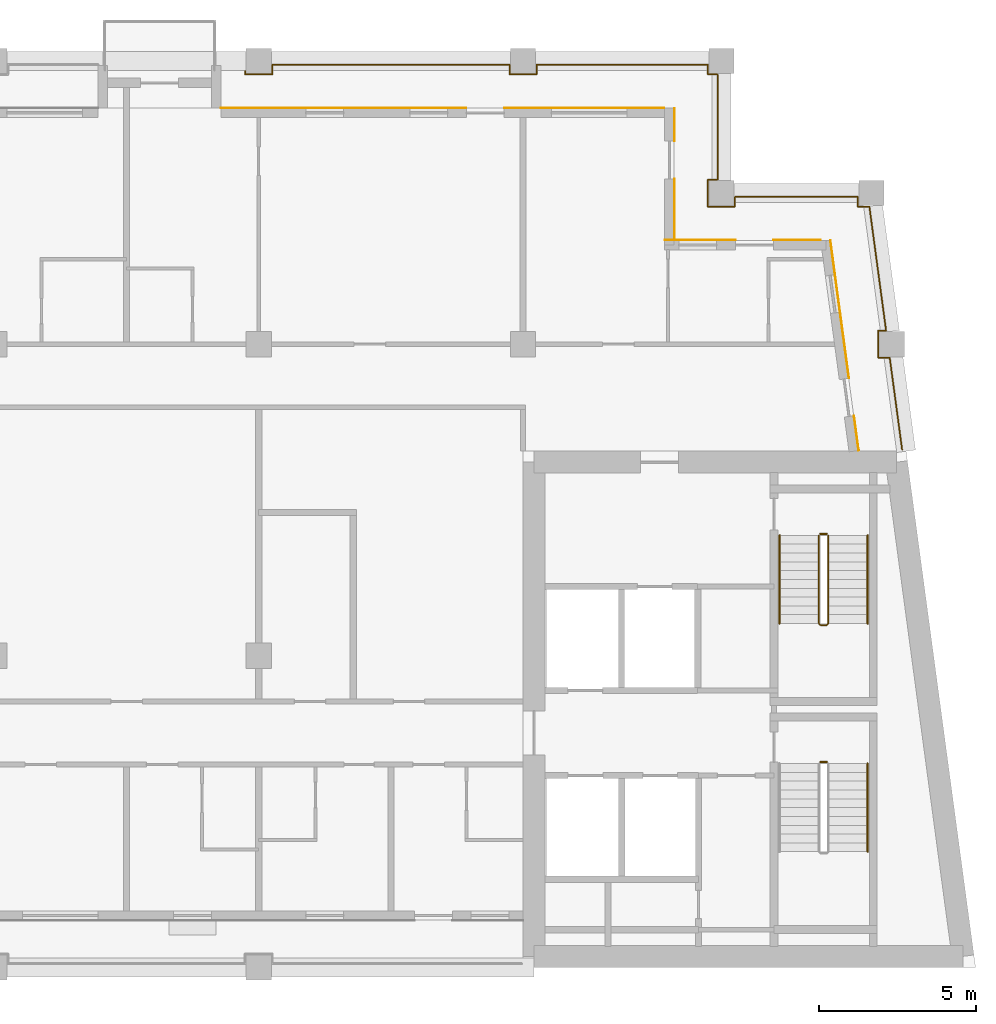
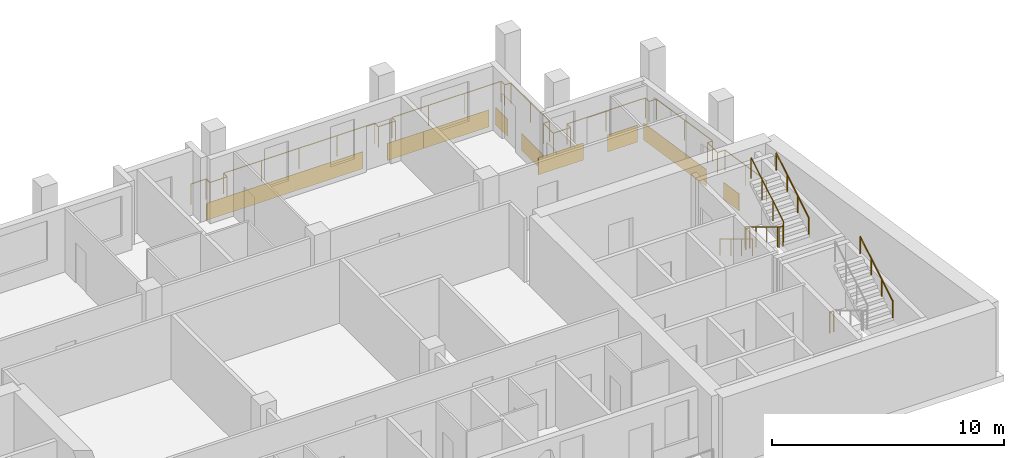
# One storey, part 9 of 10: 9 coverings, 7 railings.
"""IFC4 building model written with IfcOpenShell, lengths in metres."""

from ifc_helpers import new_model, si_unit, direction, frame, origin, origin_2d, place, context, subcontext, project, spatial, rectangle, circle, extrude, material, layer, layer_set, type_object, element, save


model = new_model("IFC4")

# Units and contexts
model_context = context("Model", 3, precision=1e-05, world=origin(), true_north=direction((0.0, 1.0)))
body_context = subcontext(model_context, "Body", "Model", "MODEL_VIEW")
ifc_project = project(units=[si_unit("LENGTHUNIT", "METRE"), si_unit("AREAUNIT", "SQUARE_METRE"), si_unit("VOLUMEUNIT", "CUBIC_METRE"), si_unit("PLANEANGLEUNIT", "RADIAN"), si_unit("MASSUNIT", "GRAM", prefix="KILO")], contexts=[model_context])

# Site, building, storey
site_placement = place(None, origin())
site = spatial("IfcSite", under=ifc_project, at=site_placement, CompositionType="ELEMENT")
building_placement = place(site_placement, origin())
building = spatial("IfcBuilding", under=site, at=building_placement, Name="Candeia Pilgrim Tower and Theatre", CompositionType="ELEMENT")
storey_placement = place(building_placement, frame((0.0, 0.0, 284.89990234375)))
storey = spatial("IfcBuildingStorey", under=building, at=storey_placement, Name="L69", CompositionType="ELEMENT", Elevation=284.89990234375)

# Railing
ifc_material_1 = material(Name="Stainless steel balustrade", Category="steel")
railing_type_1 = type_object("IfcRailingType", Name="G1 loggia guard 1100", PredefinedType="GUARDRAIL", material=ifc_material_1)
railing_1_placement = place(storey_placement, frame((116.39990234375, 144.679931640625, 0.0)))
element("IfcRailing", 1, at=railing_1_placement, inside=storey, type_object=railing_type_1, Name="Guard L69.2", PredefinedType="GUARDRAIL", context=body_context, shape_type="SweptSolid", body=[
    extrude(circle(Radius=0.02392578125, at=origin_2d()), frame((0.0, 0.0, 1.076171875), z_axis=(1.0, 0.0, 0.0), x_axis=(0.0, 1.0, 0.0)), (0.0, 0.0, 1.0), 0.77001953125),
    extrude(circle(Radius=0.02392578125, at=origin_2d()), frame((0.77001953125, 0.0, 1.076171875), z_axis=(0.0, -1.0, 0.0), x_axis=(1.0, 0.0, 0.0)), (0.0, 0.0, 1.0), 0.309814453125),
    extrude(circle(Radius=0.02392578125, at=origin_2d()), frame((0.77001953125, -0.309814453125, 1.076171875), z_axis=(1.0, 0.0, 0.0), x_axis=(0.0, 1.0, 0.0)), (0.0, 0.0, 1.0), 0.860107421875),
    extrude(circle(Radius=0.02392578125, at=origin_2d()), frame((1.630126953125, -0.309814453125, 1.076171875), z_axis=(0.0, 1.0, 0.0), x_axis=(-1.0, 0.0, 0.0)), (0.0, 0.0, 1.0), 0.309814453125),
    extrude(circle(Radius=0.02392578125, at=origin_2d()), frame((1.630126953125, 0.0, 1.076171875), z_axis=(1.0, 0.0, 0.0), x_axis=(0.0, 1.0, 0.0)), (0.0, 0.0, 1.0), 7.5400390625),
    extrude(circle(Radius=0.02392578125, at=origin_2d()), frame((9.170166015625, 0.0, 1.076171875), z_axis=(0.0, -1.0, 0.0), x_axis=(1.0, 0.0, 0.0)), (0.0, 0.0, 1.0), 0.309814453125),
    extrude(circle(Radius=0.02392578125, at=origin_2d()), frame((9.170166015625, -0.309814453125, 1.076171875), z_axis=(1.0, 0.0, 0.0), x_axis=(0.0, 1.0, 0.0)), (0.0, 0.0, 1.0), 0.85986328125),
    extrude(circle(Radius=0.02392578125, at=origin_2d()), frame((10.030029296875, -0.309814453125, 1.076171875), z_axis=(0.0, 1.0, 0.0), x_axis=(-1.0, 0.0, 0.0)), (0.0, 0.0, 1.0), 0.309814453125),
    extrude(circle(Radius=0.02392578125, at=origin_2d()), frame((10.030029296875, 0.0, 1.076171875), z_axis=(1.0, 0.0, 0.0), x_axis=(0.0, 1.0, 0.0)), (0.0, 0.0, 1.0), 5.440185546875),
    extrude(circle(Radius=0.02392578125, at=origin_2d()), frame((15.47021484375, 0.0, 1.076171875), z_axis=(0.0, -1.0, 0.0), x_axis=(1.0, 0.0, 0.0)), (0.0, 0.0, 1.0), 0.309814453125),
    extrude(circle(Radius=0.02392578125, at=origin_2d()), frame((15.47021484375, -0.309814453125, 1.076171875), z_axis=(1.0, 0.0, 0.0), x_axis=(0.0, 1.0, 0.0)), (0.0, 0.0, 1.0), 0.309814453125),
    extrude(circle(Radius=0.02392578125, at=origin_2d()), frame((15.780029296875, -0.309814453125, 1.076171875), z_axis=(0.0, -1.0, 0.0), x_axis=(1.0, 0.0, 0.0)), (0.0, 0.0, 1.0), 3.340087890625),
    extrude(circle(Radius=0.02392578125, at=origin_2d()), frame((15.780029296875, -3.64990234375, 1.076171875), z_axis=(-1.0, 0.0, 0.0), x_axis=(0.0, -1.0, 0.0)), (0.0, 0.0, 1.0), 0.309814453125),
    extrude(circle(Radius=0.02392578125, at=origin_2d()), frame((15.47021484375, -3.64990234375, 1.076171875), z_axis=(0.0, -1.0, 0.0), x_axis=(1.0, 0.0, 0.0)), (0.0, 0.0, 1.0), 0.860107421875),
    extrude(circle(Radius=0.02392578125, at=origin_2d()), frame((15.47021484375, -4.510009765625, 1.076171875), z_axis=(1.0, 0.0, 0.0), x_axis=(0.0, 1.0, 0.0)), (0.0, 0.0, 1.0), 0.85986328125),
    extrude(circle(Radius=0.02392578125, at=origin_2d()), frame((16.330078125, -4.510009765625, 1.076171875), z_axis=(0.0, 1.0, 0.0), x_axis=(-1.0, 0.0, 0.0)), (0.0, 0.0, 1.0), 0.31005859375),
    extrude(circle(Radius=0.02392578125, at=origin_2d()), frame((16.330078125, -4.199951171875, 1.076171875), z_axis=(1.0, 0.0, 0.0), x_axis=(0.0, 1.0, 0.0)), (0.0, 0.0, 1.0), 3.905517578125),
    extrude(circle(Radius=0.02392578125, at=origin_2d()), frame((20.235595703125, -4.199951171875, 1.076171875), z_axis=(0.0, -1.0, 0.0), x_axis=(1.0, 0.0, 0.0)), (0.0, 0.0, 1.0), 0.31005859375),
    extrude(circle(Radius=0.02392578125, at=origin_2d()), frame((20.235595703125, -4.510009765625, 1.076171875), z_axis=(1.0, 0.0, 0.0), x_axis=(0.0, 1.0, 0.0)), (0.0, 0.0, 1.0), 0.36669921875),
    extrude(circle(Radius=0.02392578125, at=origin_2d()), frame((20.602294921875, -4.510009765625, 1.076171875), z_axis=(0.133386492616, -0.991064096609, 0.0), x_axis=(0.991064096609, 0.133386492616, 0.0)), (0.0, 0.0, 1.0), 3.9755859375),
    extrude(circle(Radius=0.02392578125, at=origin_2d()), frame((21.132568359375, -8.449951171875, 1.076171875), z_axis=(-1.0, 0.0, 0.0), x_axis=(0.0, -1.0, 0.0)), (0.0, 0.0, 1.0), 0.2509765625),
    extrude(circle(Radius=0.02392578125, at=origin_2d()), frame((20.881591796875, -8.449951171875, 1.076171875), z_axis=(0.0, -1.0, 0.0), x_axis=(1.0, 0.0, 0.0)), (0.0, 0.0, 1.0), 0.85986328125),
    extrude(circle(Radius=0.02392578125, at=origin_2d()), frame((20.881591796875, -9.309814453125, 1.076171875), z_axis=(1.0, 0.0, 0.0), x_axis=(0.0, 1.0, 0.0)), (0.0, 0.0, 1.0), 0.366943359375),
    extrude(circle(Radius=0.02392578125, at=origin_2d()), frame((21.24853515625, -9.309814453125, 1.076171875), z_axis=(0.133401056725, -0.991062136329, 0.0), x_axis=(0.991062136329, 0.133401056725, 0.0)), (0.0, 0.0, 1.0), 2.946533203125),
    extrude(circle(Radius=0.02099609375, at=origin_2d()), origin(), (0.0, 0.0, 1.0), 1.052001953125),
    extrude(circle(Radius=0.02099609375, at=origin_2d()), frame((0.77001953125, 0.0, 0.0)), (0.0, 0.0, 1.0), 1.052001953125),
    extrude(circle(Radius=0.02099609375, at=origin_2d()), frame((0.77001953125, -0.309814453125, 0.0)), (0.0, 0.0, 1.0), 1.052001953125),
    extrude(circle(Radius=0.02099609375, at=origin_2d()), frame((1.630126953125, -0.309814453125, 0.0)), (0.0, 0.0, 1.0), 1.052001953125),
    extrude(circle(Radius=0.02099609375, at=origin_2d()), frame((1.630126953125, 0.0, 0.0)), (0.0, 0.0, 1.0), 1.052001953125),
    extrude(circle(Radius=0.02099609375, at=origin_2d()), frame((3.51513671875, 0.0, 0.0)), (0.0, 0.0, 1.0), 1.052001953125),
    extrude(circle(Radius=0.02099609375, at=origin_2d()), frame((5.400146484375, 0.0, 0.0)), (0.0, 0.0, 1.0), 1.052001953125),
    extrude(circle(Radius=0.02099609375, at=origin_2d()), frame((7.28515625, 0.0, 0.0)), (0.0, 0.0, 1.0), 1.052001953125),
    extrude(circle(Radius=0.02099609375, at=origin_2d()), frame((9.170166015625, 0.0, 0.0)), (0.0, 0.0, 1.0), 1.052001953125),
    extrude(circle(Radius=0.02099609375, at=origin_2d()), frame((9.170166015625, -0.309814453125, 0.0)), (0.0, 0.0, 1.0), 1.052001953125),
    extrude(circle(Radius=0.02099609375, at=origin_2d()), frame((10.030029296875, -0.309814453125, 0.0)), (0.0, 0.0, 1.0), 1.052001953125),
    extrude(circle(Radius=0.02099609375, at=origin_2d()), frame((10.030029296875, 0.0, 0.0)), (0.0, 0.0, 1.0), 1.052001953125),
    extrude(circle(Radius=0.02099609375, at=origin_2d()), frame((11.843505859375, 0.0, 0.0)), (0.0, 0.0, 1.0), 1.052001953125),
    extrude(circle(Radius=0.02099609375, at=origin_2d()), frame((13.65673828125, 0.0, 0.0)), (0.0, 0.0, 1.0), 1.052001953125),
    extrude(circle(Radius=0.02099609375, at=origin_2d()), frame((15.47021484375, 0.0, 0.0)), (0.0, 0.0, 1.0), 1.052001953125),
    extrude(circle(Radius=0.02099609375, at=origin_2d()), frame((15.47021484375, -0.309814453125, 0.0)), (0.0, 0.0, 1.0), 1.052001953125),
    extrude(circle(Radius=0.02099609375, at=origin_2d()), frame((15.780029296875, -0.309814453125, 0.0)), (0.0, 0.0, 1.0), 1.052001953125),
    extrude(circle(Radius=0.02099609375, at=origin_2d()), frame((15.780029296875, -1.97998046875, 0.0)), (0.0, 0.0, 1.0), 1.052001953125),
    extrude(circle(Radius=0.02099609375, at=origin_2d()), frame((15.780029296875, -3.64990234375, 0.0)), (0.0, 0.0, 1.0), 1.052001953125),
    extrude(circle(Radius=0.02099609375, at=origin_2d()), frame((15.47021484375, -3.64990234375, 0.0)), (0.0, 0.0, 1.0), 1.052001953125),
    extrude(circle(Radius=0.02099609375, at=origin_2d()), frame((15.47021484375, -4.510009765625, 0.0)), (0.0, 0.0, 1.0), 1.052001953125),
    extrude(circle(Radius=0.02099609375, at=origin_2d()), frame((16.330078125, -4.510009765625, 0.0)), (0.0, 0.0, 1.0), 1.052001953125),
    extrude(circle(Radius=0.02099609375, at=origin_2d()), frame((16.330078125, -4.199951171875, 0.0)), (0.0, 0.0, 1.0), 1.052001953125),
    extrude(circle(Radius=0.02099609375, at=origin_2d()), frame((18.28271484375, -4.199951171875, 0.0)), (0.0, 0.0, 1.0), 1.052001953125),
    extrude(circle(Radius=0.02099609375, at=origin_2d()), frame((20.235595703125, -4.199951171875, 0.0)), (0.0, 0.0, 1.0), 1.052001953125),
    extrude(circle(Radius=0.02099609375, at=origin_2d()), frame((20.235595703125, -4.510009765625, 0.0)), (0.0, 0.0, 1.0), 1.052001953125),
    extrude(circle(Radius=0.02099609375, at=origin_2d()), frame((20.602294921875, -4.510009765625, 0.0)), (0.0, 0.0, 1.0), 1.052001953125),
    extrude(circle(Radius=0.02099609375, at=origin_2d()), frame((20.867431640625, -6.47998046875, 0.0)), (0.0, 0.0, 1.0), 1.052001953125),
    extrude(circle(Radius=0.02099609375, at=origin_2d()), frame((21.132568359375, -8.449951171875, 0.0)), (0.0, 0.0, 1.0), 1.052001953125),
    extrude(circle(Radius=0.02099609375, at=origin_2d()), frame((20.881591796875, -8.449951171875, 0.0)), (0.0, 0.0, 1.0), 1.052001953125),
    extrude(circle(Radius=0.02099609375, at=origin_2d()), frame((20.881591796875, -9.309814453125, 0.0)), (0.0, 0.0, 1.0), 1.052001953125),
    extrude(circle(Radius=0.02099609375, at=origin_2d()), frame((21.24853515625, -9.309814453125, 0.0)), (0.0, 0.0, 1.0), 1.052001953125),
    extrude(circle(Radius=0.02099609375, at=origin_2d()), frame((21.445068359375, -10.77001953125, 0.0)), (0.0, 0.0, 1.0), 1.052001953125),
    extrude(circle(Radius=0.02099609375, at=origin_2d()), frame((21.6416015625, -12.22998046875, 0.0)), (0.0, 0.0, 1.0), 1.052001953125),
])

# Coverings
ifc_material_2 = material(Name="Glazed ceramic tile bottle green")
ifc_layer_1 = layer(ifc_material_2, 0.02001953125)
ifc_layer_set_1 = layer_set([ifc_layer_1], Name="Glazed ceramic tile bottle green")
covering_type_1 = type_object("IfcCoveringType", Name="Glazed ceramic tile bottle green", PredefinedType="CLADDING", material=ifc_layer_set_1)
covering_1_placement = place(storey_placement, frame((134.701416015625, 139.110107421875, 0.000244140625), z_axis=(0.0, 0.0, 1.0), x_axis=(-1.0, 0.0, 0.0)))
element("IfcCovering", 2, at=covering_1_placement, inside=storey, type_object=covering_type_1, Name="Tile cladding bottle green L69", PredefinedType="CLADDING", context=body_context, shape_type="SweptSolid", body=[
    extrude(rectangle(XDim=1.502685546875, YDim=0.02001953125, at=origin_2d()), origin(), (0.0, 0.0, 1.0), 0.89990234375),
])
covering_2_placement = place(storey_placement, frame((131.625, 139.110107421875, 0.000244140625), z_axis=(0.0, 0.0, 1.0), x_axis=(-1.0, 0.0, 0.0)))
element("IfcCovering", 3, at=covering_2_placement, inside=storey, type_object=covering_type_1, Name="Tile cladding bottle green L69", PredefinedType="CLADDING", context=body_context, shape_type="SweptSolid", body=[
    extrude(rectangle(XDim=2.25, YDim=0.02001953125, at=origin_2d()), origin(), (0.0, 0.0, 1.0), 0.89990234375),
])
covering_3_placement = place(storey_placement, frame((130.81005859375, 142.77490234375, 0.000244140625), z_axis=(0.0, 0.0, 1.0), x_axis=(0.0, 1.0, 0.0)))
element("IfcCovering", 4, at=covering_3_placement, inside=storey, type_object=covering_type_1, Name="Tile cladding bottle green L69", PredefinedType="CLADDING", context=body_context, shape_type="SweptSolid", body=[
    extrude(rectangle(XDim=1.050048828125, YDim=0.02001953125, at=origin_2d()), origin(), (0.0, 0.0, 1.0), 0.89990234375),
])
covering_4_placement = place(storey_placement, frame((128.840087890625, 143.31005859375, 0.000244140625), z_axis=(0.0, 0.0, 1.0), x_axis=(-1.0, 0.0, 0.0)))
element("IfcCovering", 5, at=covering_4_placement, inside=storey, type_object=covering_type_1, Name="Tile cladding bottle green L69", PredefinedType="CLADDING", context=body_context, shape_type="SweptSolid", body=[
    extrude(rectangle(XDim=3.280029296875, YDim=0.02001953125, at=origin_2d()), origin(), (0.0, 0.0, 1.0), 0.89990234375),
])
ifc_material_3 = material(Name="Glazed ceramic tile rust")
ifc_layer_2 = layer(ifc_material_3, 0.02001953125)
ifc_layer_set_2 = layer_set([ifc_layer_2], Name="Glazed ceramic tile rust")
covering_type_2 = type_object("IfcCoveringType", Name="Glazed ceramic tile rust", PredefinedType="CLADDING", material=ifc_layer_set_2)
covering_5_placement = place(storey_placement, frame((136.588623046875, 132.97412109375, 0.000244140625), z_axis=(0.0, 0.0, 1.0), x_axis=(-0.133412012145, 0.991060661622, 0.0)))
element("IfcCovering", 6, at=covering_5_placement, inside=storey, type_object=covering_type_2, Name="Tile cladding rust L69", PredefinedType="CLADDING", context=body_context, shape_type="SweptSolid", body=[
    extrude(rectangle(XDim=1.115234375, YDim=0.02001953125, at=origin_2d()), origin(), (0.0, 0.0, 1.0), 0.89990234375),
])
covering_6_placement = place(storey_placement, frame((136.058837890625, 136.90869140625, 0.000244140625), z_axis=(0.0, 0.0, 1.0), x_axis=(-0.133412012145, 0.991060661622, 0.0)))
element("IfcCovering", 7, at=covering_6_placement, inside=storey, type_object=covering_type_2, Name="Tile cladding rust L69", PredefinedType="CLADDING", context=body_context, shape_type="SweptSolid", body=[
    extrude(rectangle(XDim=4.4248046875, YDim=0.02001953125, at=origin_2d()), origin(), (0.0, 0.0, 1.0), 0.89990234375),
])
covering_7_placement = place(storey_placement, frame((130.81005859375, 140.0849609375, 0.000244140625), z_axis=(0.0, 0.0, 1.0), x_axis=(0.0, 1.0, 0.0)))
element("IfcCovering", 8, at=covering_7_placement, inside=storey, type_object=covering_type_2, Name="Tile cladding rust L69", PredefinedType="CLADDING", context=body_context, shape_type="SweptSolid", body=[
    extrude(rectangle(XDim=1.929931640625, YDim=0.02001953125, at=origin_2d()), origin(), (0.0, 0.0, 1.0), 0.89990234375),
])
covering_8_placement = place(storey_placement, frame((126.300048828125, 143.31005859375, 0.000244140625), z_axis=(0.0, 0.0, 1.0), x_axis=(-1.0, 0.0, 0.0)))
element("IfcCovering", 9, at=covering_8_placement, inside=storey, type_object=covering_type_2, Name="Tile cladding rust L69", PredefinedType="CLADDING", context=body_context, shape_type="SweptSolid", body=[
    extrude(rectangle(XDim=1.800048828125, YDim=0.02001953125, at=origin_2d()), origin(), (0.0, 0.0, 1.0), 0.89990234375),
])
covering_9_placement = place(storey_placement, frame((120.300048828125, 143.31005859375, 0.000244140625), z_axis=(0.0, 0.0, 1.0), x_axis=(-1.0, 0.0, 0.0)))
element("IfcCovering", 10, at=covering_9_placement, inside=storey, type_object=covering_type_2, Name="Tile cladding rust L69", PredefinedType="CLADDING", context=body_context, shape_type="SweptSolid", body=[
    extrude(rectangle(XDim=7.800048828125, YDim=0.02001953125, at=origin_2d()), origin(), (0.0, 0.0, 1.0), 0.89990234375),
])

# Railings
railing_type_2 = type_object("IfcRailingType", Name="RL-GUARD-1100", PredefinedType="GUARDRAIL", material=ifc_material_1)
railing_2_placement = place(storey_placement, frame((135.447998046875, 122.52490234375, 0.0)))
element("IfcRailing", 11, at=railing_2_placement, inside=storey, type_object=railing_type_2, Name="L69 ST3 stair guard 2", PredefinedType="GUARDRAIL", context=body_context, shape_type="SweptSolid", body=[
    extrude(circle(Radius=0.02392578125, at=origin_2d()), frame((0.0, 0.0, 1.076171875), z_axis=(1.0, 0.0, 0.0), x_axis=(0.0, 1.0, 0.0)), (0.0, 0.0, 1.0), 0.199951171875),
    extrude(circle(Radius=0.02099609375, at=origin_2d()), origin(), (0.0, 0.0, 1.0), 1.052001953125),
    extrude(circle(Radius=0.02099609375, at=origin_2d()), frame((0.199951171875, 0.0, 0.0)), (0.0, 0.0, 1.0), 1.052001953125),
])
railing_3_placement = place(storey_placement, frame((135.39794921875, 129.72509765625, 0.168212890625)))
element("IfcRailing", 12, at=railing_3_placement, inside=storey, type_object=railing_type_2, Name="L69 ST4 stair guard 1", PredefinedType="GUARDRAIL", context=body_context, shape_type="SweptSolid", body=[
    extrude(circle(Radius=0.02392578125, at=origin_2d()), frame((0.0, 0.0, 1.076171875), z_axis=(0.0, -0.857242210791, 0.514913383045), x_axis=(1.0, 0.0, 0.0)), (0.0, 0.0, 1.0), 3.266357421875),
    extrude(circle(Radius=0.02392578125, at=origin_2d()), frame((0.0, -2.800048828125, 2.7578125), z_axis=(0.707106781187, -0.707106781187, 0.0), x_axis=(0.707106781187, 0.707106781187, 0.0)), (0.0, 0.0, 1.0), 0.07080078125),
    extrude(circle(Radius=0.02392578125, at=origin_2d()), frame((0.050048828125, -2.85009765625, 2.7578125), z_axis=(1.0, 0.0, 0.0), x_axis=(0.0, 1.0, 0.0)), (0.0, 0.0, 1.0), 0.199951171875),
    extrude(circle(Radius=0.02392578125, at=origin_2d()), frame((0.25, -2.85009765625, 2.7578125), z_axis=(0.274243871929, 0.274243871929, 0.92172696468), x_axis=(-0.707106781187, 0.707106781187, 0.0)), (0.0, 0.0, 1.0), 0.1826171875),
    extrude(circle(Radius=0.02392578125, at=origin_2d()), frame((0.300048828125, -2.800048828125, 2.92626953125), z_axis=(0.0, 0.857242210791, 0.514913383045), x_axis=(-1.0, 0.0, 0.0)), (0.0, 0.0, 1.0), 3.266357421875),
    extrude(circle(Radius=0.02099609375, at=origin_2d()), origin(), (0.0, 0.0, 1.0), 1.052001953125),
    extrude(circle(Radius=0.02099609375, at=origin_2d()), frame((0.0, -0.933349609375, 0.560546875)), (0.0, 0.0, 1.0), 1.052001953125),
    extrude(circle(Radius=0.02099609375, at=origin_2d()), frame((0.0, -1.86669921875, 1.121337890625)), (0.0, 0.0, 1.0), 1.052001953125),
    extrude(circle(Radius=0.02099609375, at=origin_2d()), frame((0.0, -2.800048828125, 1.681884765625)), (0.0, 0.0, 1.0), 1.052001953125),
    extrude(circle(Radius=0.02099609375, at=origin_2d()), frame((0.050048828125, -2.85009765625, 1.681884765625)), (0.0, 0.0, 1.0), 1.052001953125),
    extrude(circle(Radius=0.02099609375, at=origin_2d()), frame((0.25, -2.85009765625, 1.681884765625)), (0.0, 0.0, 1.0), 1.052001953125),
    extrude(circle(Radius=0.02099609375, at=origin_2d()), frame((0.300048828125, -2.800048828125, 1.85009765625)), (0.0, 0.0, 1.0), 1.052001953125),
    extrude(circle(Radius=0.02099609375, at=origin_2d()), frame((0.300048828125, -1.86669921875, 2.41064453125)), (0.0, 0.0, 1.0), 1.052001953125),
    extrude(circle(Radius=0.02099609375, at=origin_2d()), frame((0.300048828125, -0.933349609375, 2.971435546875)), (0.0, 0.0, 1.0), 1.052001953125),
    extrude(circle(Radius=0.02099609375, at=origin_2d()), frame((0.300048828125, 0.0, 3.531982421875)), (0.0, 0.0, 1.0), 1.052001953125),
])
railing_4_placement = place(storey_placement, frame((135.447998046875, 129.77490234375, 0.0)))
element("IfcRailing", 13, at=railing_4_placement, inside=storey, type_object=railing_type_2, Name="L69 ST4 stair guard 2", PredefinedType="GUARDRAIL", context=body_context, shape_type="SweptSolid", body=[
    extrude(circle(Radius=0.02392578125, at=origin_2d()), frame((0.0, 0.0, 1.076171875), z_axis=(1.0, 0.0, 0.0), x_axis=(0.0, 1.0, 0.0)), (0.0, 0.0, 1.0), 0.199951171875),
    extrude(circle(Radius=0.02099609375, at=origin_2d()), origin(), (0.0, 0.0, 1.0), 1.052001953125),
    extrude(circle(Radius=0.02099609375, at=origin_2d()), frame((0.199951171875, 0.0, 0.0)), (0.0, 0.0, 1.0), 1.052001953125),
])
ifc_material_4 = material(Name="Stainless steel handrail", Category="steel")
railing_type_3 = type_object("IfcRailingType", Name="RL-HANDRAIL-900", PredefinedType="HANDRAIL", material=ifc_material_4)
railing_5_placement = place(storey_placement, frame((136.947998046875, 119.675048828125, 2.018310546875)))
element("IfcRailing", 14, at=railing_5_placement, inside=storey, type_object=railing_type_3, Name="L69 ST3 stair handrail 2", PredefinedType="HANDRAIL", context=body_context, shape_type="SweptSolid", body=[
    extrude(circle(Radius=0.02392578125, at=origin_2d()), frame((0.0, 0.0, 0.8759765625), z_axis=(0.0, 0.857242210791, 0.514913383045), x_axis=(-1.0, 0.0, 0.0)), (0.0, 0.0, 1.0), 3.266357421875),
    extrude(circle(Radius=0.02099609375, at=origin_2d()), origin(), (0.0, 0.0, 1.0), 0.851806640625),
    extrude(circle(Radius=0.02099609375, at=origin_2d()), frame((0.0, 0.933349609375, 0.560546875)), (0.0, 0.0, 1.0), 0.851806640625),
    extrude(circle(Radius=0.02099609375, at=origin_2d()), frame((0.0, 1.86669921875, 1.121337890625)), (0.0, 0.0, 1.0), 0.851806640625),
    extrude(circle(Radius=0.02099609375, at=origin_2d()), frame((0.0, 2.800048828125, 1.681884765625)), (0.0, 0.0, 1.0), 0.851806640625),
])
railing_6_placement = place(storey_placement, frame((134.14794921875, 129.72509765625, 0.168212890625)))
element("IfcRailing", 15, at=railing_6_placement, inside=storey, type_object=railing_type_3, Name="L69 ST4 stair handrail 1", PredefinedType="HANDRAIL", context=body_context, shape_type="SweptSolid", body=[
    extrude(circle(Radius=0.02392578125, at=origin_2d()), frame((0.0, 0.0, 0.8759765625), z_axis=(0.0, -0.857242210791, 0.514913383045), x_axis=(1.0, 0.0, 0.0)), (0.0, 0.0, 1.0), 3.266357421875),
    extrude(circle(Radius=0.02099609375, at=origin_2d()), origin(), (0.0, 0.0, 1.0), 0.851806640625),
    extrude(circle(Radius=0.02099609375, at=origin_2d()), frame((0.0, -0.933349609375, 0.560546875)), (0.0, 0.0, 1.0), 0.851806640625),
    extrude(circle(Radius=0.02099609375, at=origin_2d()), frame((0.0, -1.86669921875, 1.121337890625)), (0.0, 0.0, 1.0), 0.851806640625),
    extrude(circle(Radius=0.02099609375, at=origin_2d()), frame((0.0, -2.800048828125, 1.681884765625)), (0.0, 0.0, 1.0), 0.851806640625),
])
railing_7_placement = place(storey_placement, frame((136.947998046875, 126.925048828125, 2.018310546875)))
element("IfcRailing", 16, at=railing_7_placement, inside=storey, type_object=railing_type_3, Name="L69 ST4 stair handrail 2", PredefinedType="HANDRAIL", context=body_context, shape_type="SweptSolid", body=[
    extrude(circle(Radius=0.02392578125, at=origin_2d()), frame((0.0, 0.0, 0.8759765625), z_axis=(0.0, 0.857242210791, 0.514913383045), x_axis=(-1.0, 0.0, 0.0)), (0.0, 0.0, 1.0), 3.266357421875),
    extrude(circle(Radius=0.02099609375, at=origin_2d()), origin(), (0.0, 0.0, 1.0), 0.851806640625),
    extrude(circle(Radius=0.02099609375, at=origin_2d()), frame((0.0, 0.933349609375, 0.560546875)), (0.0, 0.0, 1.0), 0.851806640625),
    extrude(circle(Radius=0.02099609375, at=origin_2d()), frame((0.0, 1.86669921875, 1.121337890625)), (0.0, 0.0, 1.0), 0.851806640625),
    extrude(circle(Radius=0.02099609375, at=origin_2d()), frame((0.0, 2.800048828125, 1.681884765625)), (0.0, 0.0, 1.0), 0.851806640625),
])

save(model, "model.ifc")
